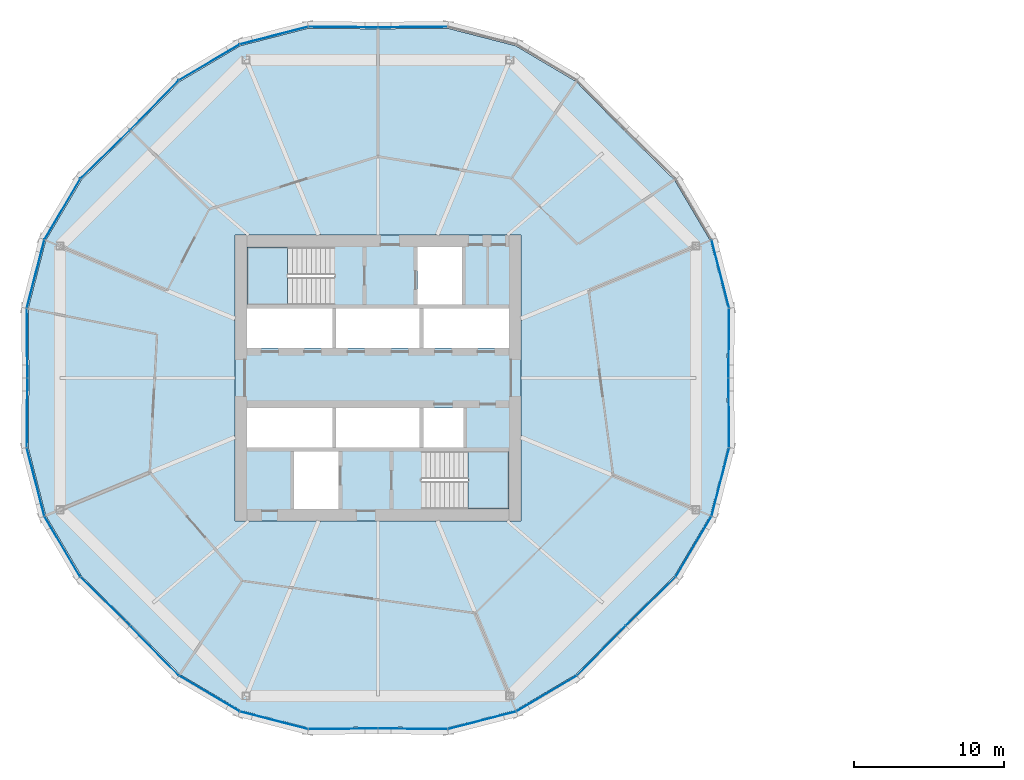
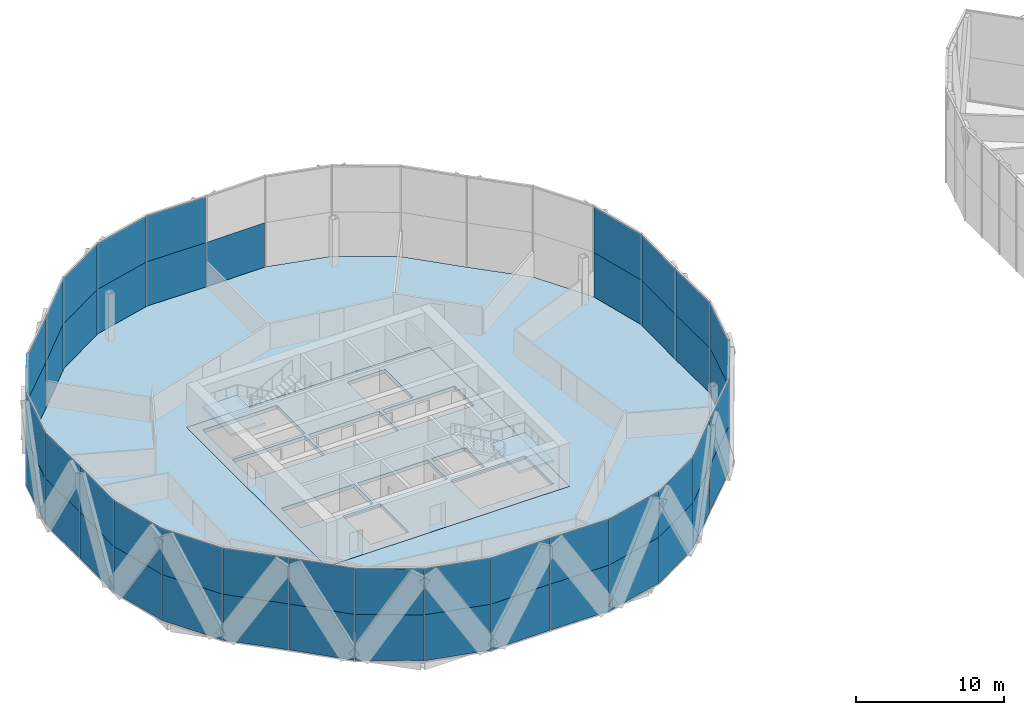
# One storey, part 18 of 31: 53 plates, 4 slabs, 10 elements without a shape of their own.
"""IFC4 building model written with IfcOpenShell, lengths in metres."""

from ifc_helpers import new_model, si_unit, direction, frame, origin, origin_2d, place, context, subcontext, project, spatial, polyline, rectangle, outline, extrude, material, layer, layer_set, type_object, element, aggregate, save


model = new_model("IFC4")

# Units and contexts
model_context = context("Model", 3, precision=1e-05, world=origin(), true_north=direction((0.0, 1.0)))
body_context = subcontext(model_context, "Body", "Model", "MODEL_VIEW")
ifc_project = project(units=[si_unit("LENGTHUNIT", "METRE"), si_unit("AREAUNIT", "SQUARE_METRE"), si_unit("VOLUMEUNIT", "CUBIC_METRE"), si_unit("PLANEANGLEUNIT", "RADIAN"), si_unit("MASSUNIT", "GRAM", prefix="KILO")], contexts=[model_context])

# Site, building, storey
site_placement = place(None, origin())
site = spatial("IfcSite", under=ifc_project, at=site_placement, CompositionType="ELEMENT")
building_placement = place(site_placement, origin())
building = spatial("IfcBuilding", under=site, at=building_placement, Name="Ogive Gate Towers", CompositionType="ELEMENT")
storey_placement = place(building_placement, frame((0.0, 0.0, 63.60009765625)))
storey = spatial("IfcBuildingStorey", under=building, at=storey_placement, Name="L14", CompositionType="ELEMENT", Elevation=63.60009765625)

# Slabs
ifc_material_1 = material(Name="Concrete C40/50", Category="concrete")
ifc_layer_1 = layer(ifc_material_1, 0.300048828125)
ifc_layer_set_1 = layer_set([ifc_layer_1], Name="Core slab C40/50 300 mm")
slab_type_1 = type_object("IfcSlabType", Name="Core slab C40/50 300 mm", PredefinedType="FLOOR", material=ifc_layer_set_1)
slab_1_placement = place(storey_placement, frame((0.0, 0.0, -0.300048828125)))
element("IfcSlab", 1, at=slab_1_placement, inside=storey, type_object=slab_type_1, Name="T1 L14 core slab", PredefinedType="FLOOR", context=body_context, shape_type="SweptSolid", body=[
    extrude(outline(polyline([(-26.5, 9.5), (-26.5, -9.5), (-45.5, -9.5), (-45.5, 9.5), (-26.5, 9.5)]), holes=[polyline([(-39.02490234375, 4.625), (-44.699951171875, 4.625), (-44.699951171875, 2.0), (-39.02490234375, 2.0), (-39.02490234375, 4.625)]), polyline([(-33.22509765625, 2.0), (-33.22509765625, 4.625), (-38.77490234375, 4.625), (-38.77490234375, 2.0), (-33.22509765625, 2.0)]), polyline([(-32.97509765625, 2.0), (-27.300048828125, 2.0), (-27.300048828125, 4.625), (-32.97509765625, 4.625), (-32.97509765625, 2.0)]), polyline([(-44.699951171875, -2.0), (-44.699951171875, -4.625), (-39.02490234375, -4.625), (-39.02490234375, -2.0), (-44.699951171875, -2.0)]), polyline([(-33.22509765625, -2.0), (-38.77490234375, -2.0), (-38.77490234375, -4.625), (-33.22509765625, -4.625), (-33.22509765625, -2.0)]), polyline([(-30.324951171875, -4.625), (-30.324951171875, -2.0), (-32.97509765625, -2.0), (-32.97509765625, -4.625), (-30.324951171875, -4.625)]), polyline([(-33.375, 4.875), (-30.425048828125, 4.875), (-30.425048828125, 8.699951171875), (-33.375, 8.699951171875), (-33.375, 4.875)]), polyline([(-41.574951171875, -4.875), (-41.574951171875, -8.699951171875), (-38.625, -8.699951171875), (-38.625, -4.875), (-41.574951171875, -4.875)]), polyline([(-44.699951171875, 4.875), (-38.885009765625, 4.875), (-38.885009765625, 8.699951171875), (-44.699951171875, 8.699951171875), (-44.699951171875, 4.875)]), polyline([(-27.300048828125, -8.699951171875), (-27.300048828125, -4.875), (-33.114990234375, -4.875), (-33.114990234375, -8.699951171875), (-27.300048828125, -8.699951171875)])]), origin(), (0.0, 0.0, 1.0), 0.300048828125),
])
ifc_material_2 = material(Name="Concrete C35/45", Category="concrete")
ifc_layer_2 = layer(ifc_material_2, 0.300048828125)
ifc_layer_set_2 = layer_set([ifc_layer_2], Name="Floor slab 300")
slab_type_2 = type_object("IfcSlabType", Name="Floor slab 300", PredefinedType="FLOOR", material=ifc_layer_set_2)
slab_2_placement = place(storey_placement, frame((0.0, 0.0, -0.300048828125)))
element("IfcSlab", 2, at=slab_2_placement, inside=storey, type_object=slab_type_2, Name="T1/L14/SSL001", PredefinedType="FLOOR", context=body_context, shape_type="SweptSolid", body=[
    extrude(outline(polyline([(-12.74560546875, -4.62548828125), (-12.7900390625, 0.0), (-12.74560546875, 4.62548828125), (-13.91015625, 9.14990234375), (-16.285888671875, 13.172607421875), (-19.588134765625, 16.411865234375), (-22.827392578125, 19.714111328125), (-26.85009765625, 22.08984375), (-31.37451171875, 23.25439453125), (-36.0, 23.2099609375), (-40.62548828125, 23.25439453125), (-45.14990234375, 22.08984375), (-49.172607421875, 19.714111328125), (-52.411865234375, 16.411865234375), (-55.714111328125, 13.172607421875), (-58.08984375, 9.14990234375), (-59.25439453125, 4.62548828125), (-59.2099609375, 0.0), (-59.25439453125, -4.62548828125), (-58.08984375, -9.14990234375), (-55.714111328125, -13.172607421875), (-52.411865234375, -16.411865234375), (-49.172607421875, -19.714111328125), (-45.14990234375, -22.08984375), (-40.62548828125, -23.25439453125), (-36.0, -23.2099609375), (-31.37451171875, -23.25439453125), (-26.85009765625, -22.08984375), (-22.827392578125, -19.714111328125), (-19.588134765625, -16.411865234375), (-16.285888671875, -13.172607421875), (-13.91015625, -9.14990234375), (-12.74560546875, -4.62548828125)]), holes=[polyline([(-26.5, -9.5), (-45.5, -9.5), (-45.5, 9.5), (-26.5, 9.5), (-26.5, -9.5)])]), origin(), (0.0, 0.0, 1.0), 0.300048828125),
])

# Stair, slab
stair_type = type_object("IfcStairType", Name="Escape stair 1840 wide", PredefinedType="HALF_TURN_STAIR", material=ifc_material_1)
stair_1_placement = place(storey_placement, origin())
stair_1 = element("IfcStair", 3, at=stair_1_placement, inside=storey, type_object=stair_type, Name="L14 Escape stair 1", PredefinedType="HALF_TURN_STAIR")
ifc_layer_3 = layer(ifc_material_1, 0.199951171875)
ifc_layer_set_3 = layer_set([ifc_layer_3], Name="Stair landing 200 mm")
slab_type_3 = type_object("IfcSlabType", Name="Stair landing 200 mm", PredefinedType="LANDING", material=ifc_layer_set_3)
slab_3_placement = place(storey_placement, frame((0.0, 0.0, 1.75)))
slab_3 = element("IfcSlab", 4, at=slab_3_placement, type_object=slab_type_3, Name="ST1 landing 1", PredefinedType="LANDING", context=body_context, shape_type="SweptSolid", body=[
    extrude(outline(polyline([(-42.00146484375, 8.699951171875), (-44.699951171875, 8.699951171875), (-44.699951171875, 4.875), (-42.00146484375, 4.875), (-42.00146484375, 8.699951171875)])), origin(), (0.0, 0.0, 1.0), 0.199951171875),
])
aggregate(stair_1, [slab_3])

stair_2_placement = place(storey_placement, origin())
stair_2 = element("IfcStair", 5, at=stair_2_placement, inside=storey, type_object=stair_type, Name="L14 Escape stair 2", PredefinedType="HALF_TURN_STAIR")
slab_4_placement = place(storey_placement, frame((0.0, 0.0, 1.75)))
slab_4 = element("IfcSlab", 6, at=slab_4_placement, type_object=slab_type_3, Name="ST2 landing 1", PredefinedType="LANDING", context=body_context, shape_type="SweptSolid", body=[
    extrude(outline(polyline([(-29.99853515625, -8.699951171875), (-27.300048828125, -8.699951171875), (-27.300048828125, -4.875), (-29.99853515625, -4.875), (-29.99853515625, -8.699951171875)])), origin(), (0.0, 0.0, 1.0), 0.199951171875),
])
aggregate(stair_2, [slab_4])

# Curtain wall, plates
ifc_material_3 = material(Name="Pale metal aluminium", Category="aluminium")
curtain_wall_type = type_object("IfcCurtainWallType", Name="Tower unitised wall, low zone", PredefinedType="NOTDEFINED", material=ifc_material_3)
curtain_wall_1_placement = place(storey_placement, origin())
curtain_wall_1 = element("IfcCurtainWall", 7, at=curtain_wall_1_placement, inside=storey, type_object=curtain_wall_type, Name="CW1 T1 ECW01", PredefinedType="NOTDEFINED")
ifc_material_4 = material(Name="Clear glass", Category="glass")
ifc_layer_4 = layer(ifc_material_4, 0.028076171875)
ifc_layer_set_4 = layer_set([ifc_layer_4], Name="Tower unitised wall, low zone glass panel")
plate_type = type_object("IfcPlateType", Name="Tower unitised wall, low zone glass panel", PredefinedType="CURTAIN_PANEL", material=ifc_layer_set_4)
plate_1_placement = place(storey_placement, frame((-12.667724609375, 2.31689453125, -0.2041015625), z_axis=(0.0, 0.0, 1.0), x_axis=(0.009599163462, 0.999953926969, 0.0)))
plate_1 = element("IfcPlate", 8, at=plate_1_placement, type_object=plate_type, Name="CW1 glass panel", PredefinedType="CURTAIN_PANEL", context=body_context, shape_type="SweptSolid", body=[
    extrude(rectangle(XDim=4.580078125, YDim=0.028076171875, at=origin_2d()), origin(), (0.0, 0.0, 1.0), 3.803955078125),
])
plate_2_placement = place(storey_placement, frame((-12.667724609375, 2.31689453125, 3.60009765625), z_axis=(0.0, 0.0, 1.0), x_axis=(0.009599163462, 0.999953926969, 0.0)))
plate_2 = element("IfcPlate", 9, at=plate_2_placement, type_object=plate_type, Name="CW1 glass panel", PredefinedType="CURTAIN_PANEL", context=body_context, shape_type="SweptSolid", body=[
    extrude(rectangle(XDim=4.580078125, YDim=0.028076171875, at=origin_2d()), origin(), (0.0, 0.0, 1.0), 3.803955078125),
])
plate_3_placement = place(storey_placement, frame((-13.231201171875, 6.9130859375, -0.2041015625), z_axis=(0.0, 0.0, 1.0), x_axis=(-0.249247709738, 0.968439765391, 0.0)))
plate_3 = element("IfcPlate", 10, at=plate_3_placement, type_object=plate_type, Name="CW1 glass panel", PredefinedType="CURTAIN_PANEL", context=body_context, shape_type="SweptSolid", body=[
    extrude(rectangle(XDim=4.63720703125, YDim=0.028076171875, at=origin_2d()), origin(), (0.0, 0.0, 1.0), 3.803955078125),
])
plate_4_placement = place(storey_placement, frame((-13.231201171875, 6.9130859375, 3.60009765625), z_axis=(0.0, 0.0, 1.0), x_axis=(-0.249247709738, 0.968439765391, 0.0)))
plate_4 = element("IfcPlate", 11, at=plate_4_placement, type_object=plate_type, Name="CW1 glass panel", PredefinedType="CURTAIN_PANEL", context=body_context, shape_type="SweptSolid", body=[
    extrude(rectangle(XDim=4.63720703125, YDim=0.028076171875, at=origin_2d()), origin(), (0.0, 0.0, 1.0), 3.803955078125),
])
aggregate(curtain_wall_1, [plate_1, plate_2, plate_3, plate_4])

# Curtain wall, plate
curtain_wall_2_placement = place(storey_placement, origin())
curtain_wall_2 = element("IfcCurtainWall", 12, at=curtain_wall_2_placement, inside=storey, type_object=curtain_wall_type, Name="CW1 T1 ECW02", PredefinedType="NOTDEFINED")
plate_5_placement = place(storey_placement, frame((-33.68310546875, 23.332275390625, -0.2041015625), z_axis=(0.0, 0.0, 1.0), x_axis=(-0.999953926969, -0.009599163462, 0.0)))
plate_5 = element("IfcPlate", 13, at=plate_5_placement, type_object=plate_type, Name="CW1 glass panel", PredefinedType="CURTAIN_PANEL", context=body_context, shape_type="SweptSolid", body=[
    extrude(rectangle(XDim=4.580078125, YDim=0.028076171875, at=origin_2d()), origin(), (0.0, 0.0, 1.0), 3.803955078125),
])
aggregate(curtain_wall_2, [plate_5])

# Curtain wall, plates
curtain_wall_3_placement = place(storey_placement, origin())
curtain_wall_3 = element("IfcCurtainWall", 14, at=curtain_wall_3_placement, inside=storey, type_object=curtain_wall_type, Name="CW1 T1 ECW03", PredefinedType="NOTDEFINED")
plate_6_placement = place(storey_placement, frame((-38.31689453125, 23.332275390625, -0.2041015625), z_axis=(0.0, 0.0, 1.0), x_axis=(-0.999953926969, 0.009599163462, 0.0)))
plate_6 = element("IfcPlate", 15, at=plate_6_placement, type_object=plate_type, Name="CW1 glass panel", PredefinedType="CURTAIN_PANEL", context=body_context, shape_type="SweptSolid", body=[
    extrude(rectangle(XDim=4.580078125, YDim=0.028076171875, at=origin_2d()), origin(), (0.0, 0.0, 1.0), 3.803955078125),
])
plate_7_placement = place(storey_placement, frame((-38.31689453125, 23.332275390625, 3.60009765625), z_axis=(0.0, 0.0, 1.0), x_axis=(-0.999953926969, 0.009599163462, 0.0)))
plate_7 = element("IfcPlate", 16, at=plate_7_placement, type_object=plate_type, Name="CW1 glass panel", PredefinedType="CURTAIN_PANEL", context=body_context, shape_type="SweptSolid", body=[
    extrude(rectangle(XDim=4.580078125, YDim=0.028076171875, at=origin_2d()), origin(), (0.0, 0.0, 1.0), 3.803955078125),
])
plate_8_placement = place(storey_placement, frame((-42.9130859375, 22.768798828125, -0.2041015625), z_axis=(0.0, 0.0, 1.0), x_axis=(-0.968439765391, -0.249247709738, 0.0)))
plate_8 = element("IfcPlate", 17, at=plate_8_placement, type_object=plate_type, Name="CW1 glass panel", PredefinedType="CURTAIN_PANEL", context=body_context, shape_type="SweptSolid", body=[
    extrude(rectangle(XDim=4.63720703125, YDim=0.028076171875, at=origin_2d()), origin(), (0.0, 0.0, 1.0), 3.803955078125),
])
plate_9_placement = place(storey_placement, frame((-42.9130859375, 22.768798828125, 3.60009765625), z_axis=(0.0, 0.0, 1.0), x_axis=(-0.968439765391, -0.249247709738, 0.0)))
plate_9 = element("IfcPlate", 18, at=plate_9_placement, type_object=plate_type, Name="CW1 glass panel", PredefinedType="CURTAIN_PANEL", context=body_context, shape_type="SweptSolid", body=[
    extrude(rectangle(XDim=4.63720703125, YDim=0.028076171875, at=origin_2d()), origin(), (0.0, 0.0, 1.0), 3.803955078125),
])
plate_10_placement = place(storey_placement, frame((-47.211669921875, 20.98828125, -0.2041015625), z_axis=(0.0, 0.0, 1.0), x_axis=(-0.86103507103, -0.508545579527, 0.0)))
plate_10 = element("IfcPlate", 19, at=plate_10_placement, type_object=plate_type, Name="CW1 glass panel", PredefinedType="CURTAIN_PANEL", context=body_context, shape_type="SweptSolid", body=[
    extrude(rectangle(XDim=4.63720703125, YDim=0.028076171875, at=origin_2d()), origin(), (0.0, 0.0, 1.0), 3.803955078125),
])
plate_11_placement = place(storey_placement, frame((-47.211669921875, 20.98828125, 3.60009765625), z_axis=(0.0, 0.0, 1.0), x_axis=(-0.86103507103, -0.508545579527, 0.0)))
plate_11 = element("IfcPlate", 20, at=plate_11_placement, type_object=plate_type, Name="CW1 glass panel", PredefinedType="CURTAIN_PANEL", context=body_context, shape_type="SweptSolid", body=[
    extrude(rectangle(XDim=4.63720703125, YDim=0.028076171875, at=origin_2d()), origin(), (0.0, 0.0, 1.0), 3.803955078125),
])
plate_12_placement = place(storey_placement, frame((-50.860107421875, 18.13671875, -0.2041015625), z_axis=(0.0, 0.0, 1.0), x_axis=(-0.700299028189, -0.713849613797, 0.0)))
plate_12 = element("IfcPlate", 21, at=plate_12_placement, type_object=plate_type, Name="CW1 glass panel", PredefinedType="CURTAIN_PANEL", context=body_context, shape_type="SweptSolid", body=[
    extrude(rectangle(XDim=4.580078125, YDim=0.028076171875, at=origin_2d()), origin(), (0.0, 0.0, 1.0), 3.803955078125),
])
plate_13_placement = place(storey_placement, frame((-50.860107421875, 18.13671875, 3.60009765625), z_axis=(0.0, 0.0, 1.0), x_axis=(-0.700299028189, -0.713849613797, 0.0)))
plate_13 = element("IfcPlate", 22, at=plate_13_placement, type_object=plate_type, Name="CW1 glass panel", PredefinedType="CURTAIN_PANEL", context=body_context, shape_type="SweptSolid", body=[
    extrude(rectangle(XDim=4.580078125, YDim=0.028076171875, at=origin_2d()), origin(), (0.0, 0.0, 1.0), 3.803955078125),
])
aggregate(curtain_wall_3, [plate_6, plate_7, plate_8, plate_9, plate_10, plate_11, plate_12, plate_13])

curtain_wall_4_placement = place(storey_placement, origin())
curtain_wall_4 = element("IfcCurtainWall", 23, at=curtain_wall_4_placement, inside=storey, type_object=curtain_wall_type, Name="CW1 T1 ECW04", PredefinedType="NOTDEFINED")
plate_14_placement = place(storey_placement, frame((-54.13671875, 14.860107421875, -0.2041015625), z_axis=(0.0, 0.0, 1.0), x_axis=(-0.713849613797, -0.700299028189, 0.0)))
plate_14 = element("IfcPlate", 24, at=plate_14_placement, type_object=plate_type, Name="CW1 glass panel", PredefinedType="CURTAIN_PANEL", context=body_context, shape_type="SweptSolid", body=[
    extrude(rectangle(XDim=4.580078125, YDim=0.028076171875, at=origin_2d()), origin(), (0.0, 0.0, 1.0), 3.803955078125),
])
plate_15_placement = place(storey_placement, frame((-54.13671875, 14.860107421875, 3.60009765625), z_axis=(0.0, 0.0, 1.0), x_axis=(-0.713849613797, -0.700299028189, 0.0)))
plate_15 = element("IfcPlate", 25, at=plate_15_placement, type_object=plate_type, Name="CW1 glass panel", PredefinedType="CURTAIN_PANEL", context=body_context, shape_type="SweptSolid", body=[
    extrude(rectangle(XDim=4.580078125, YDim=0.028076171875, at=origin_2d()), origin(), (0.0, 0.0, 1.0), 3.803955078125),
])
plate_16_placement = place(storey_placement, frame((-56.98828125, 11.211669921875, -0.2041015625), z_axis=(0.0, 0.0, 1.0), x_axis=(-0.508545579527, -0.86103507103, 0.0)))
plate_16 = element("IfcPlate", 26, at=plate_16_placement, type_object=plate_type, Name="CW1 glass panel", PredefinedType="CURTAIN_PANEL", context=body_context, shape_type="SweptSolid", body=[
    extrude(rectangle(XDim=4.63720703125, YDim=0.028076171875, at=origin_2d()), origin(), (0.0, 0.0, 1.0), 3.803955078125),
])
plate_17_placement = place(storey_placement, frame((-56.98828125, 11.211669921875, 3.60009765625), z_axis=(0.0, 0.0, 1.0), x_axis=(-0.508545579527, -0.86103507103, 0.0)))
plate_17 = element("IfcPlate", 27, at=plate_17_placement, type_object=plate_type, Name="CW1 glass panel", PredefinedType="CURTAIN_PANEL", context=body_context, shape_type="SweptSolid", body=[
    extrude(rectangle(XDim=4.63720703125, YDim=0.028076171875, at=origin_2d()), origin(), (0.0, 0.0, 1.0), 3.803955078125),
])
plate_18_placement = place(storey_placement, frame((-58.768798828125, 6.9130859375, -0.2041015625), z_axis=(0.0, 0.0, 1.0), x_axis=(-0.249247709738, -0.968439765391, 0.0)))
plate_18 = element("IfcPlate", 28, at=plate_18_placement, type_object=plate_type, Name="CW1 glass panel", PredefinedType="CURTAIN_PANEL", context=body_context, shape_type="SweptSolid", body=[
    extrude(rectangle(XDim=4.63720703125, YDim=0.028076171875, at=origin_2d()), origin(), (0.0, 0.0, 1.0), 3.803955078125),
])
plate_19_placement = place(storey_placement, frame((-58.768798828125, 6.9130859375, 3.60009765625), z_axis=(0.0, 0.0, 1.0), x_axis=(-0.249247709738, -0.968439765391, 0.0)))
plate_19 = element("IfcPlate", 29, at=plate_19_placement, type_object=plate_type, Name="CW1 glass panel", PredefinedType="CURTAIN_PANEL", context=body_context, shape_type="SweptSolid", body=[
    extrude(rectangle(XDim=4.63720703125, YDim=0.028076171875, at=origin_2d()), origin(), (0.0, 0.0, 1.0), 3.803955078125),
])
plate_20_placement = place(storey_placement, frame((-59.332275390625, 2.31689453125, -0.2041015625), z_axis=(0.0, 0.0, 1.0), x_axis=(0.009599163462, -0.999953926969, 0.0)))
plate_20 = element("IfcPlate", 30, at=plate_20_placement, type_object=plate_type, Name="CW1 glass panel", PredefinedType="CURTAIN_PANEL", context=body_context, shape_type="SweptSolid", body=[
    extrude(rectangle(XDim=4.580078125, YDim=0.028076171875, at=origin_2d()), origin(), (0.0, 0.0, 1.0), 3.803955078125),
])
plate_21_placement = place(storey_placement, frame((-59.332275390625, 2.31689453125, 3.60009765625), z_axis=(0.0, 0.0, 1.0), x_axis=(0.009599163462, -0.999953926969, 0.0)))
plate_21 = element("IfcPlate", 31, at=plate_21_placement, type_object=plate_type, Name="CW1 glass panel", PredefinedType="CURTAIN_PANEL", context=body_context, shape_type="SweptSolid", body=[
    extrude(rectangle(XDim=4.580078125, YDim=0.028076171875, at=origin_2d()), origin(), (0.0, 0.0, 1.0), 3.803955078125),
])
aggregate(curtain_wall_4, [plate_14, plate_15, plate_16, plate_17, plate_18, plate_19, plate_20, plate_21])

curtain_wall_5_placement = place(storey_placement, origin())
curtain_wall_5 = element("IfcCurtainWall", 32, at=curtain_wall_5_placement, inside=storey, type_object=curtain_wall_type, Name="CW1 T1 ECW05", PredefinedType="NOTDEFINED")
plate_22_placement = place(storey_placement, frame((-59.332275390625, -2.31689453125, -0.2041015625), z_axis=(0.0, 0.0, 1.0), x_axis=(-0.009599163462, -0.999953926969, 0.0)))
plate_22 = element("IfcPlate", 33, at=plate_22_placement, type_object=plate_type, Name="CW1 glass panel", PredefinedType="CURTAIN_PANEL", context=body_context, shape_type="SweptSolid", body=[
    extrude(rectangle(XDim=4.580078125, YDim=0.028076171875, at=origin_2d()), origin(), (0.0, 0.0, 1.0), 3.803955078125),
])
plate_23_placement = place(storey_placement, frame((-59.332275390625, -2.31689453125, 3.60009765625), z_axis=(0.0, 0.0, 1.0), x_axis=(-0.009599163462, -0.999953926969, 0.0)))
plate_23 = element("IfcPlate", 34, at=plate_23_placement, type_object=plate_type, Name="CW1 glass panel", PredefinedType="CURTAIN_PANEL", context=body_context, shape_type="SweptSolid", body=[
    extrude(rectangle(XDim=4.580078125, YDim=0.028076171875, at=origin_2d()), origin(), (0.0, 0.0, 1.0), 3.803955078125),
])
plate_24_placement = place(storey_placement, frame((-58.768798828125, -6.9130859375, -0.2041015625), z_axis=(0.0, 0.0, 1.0), x_axis=(0.249247709738, -0.968439765391, 0.0)))
plate_24 = element("IfcPlate", 35, at=plate_24_placement, type_object=plate_type, Name="CW1 glass panel", PredefinedType="CURTAIN_PANEL", context=body_context, shape_type="SweptSolid", body=[
    extrude(rectangle(XDim=4.63720703125, YDim=0.028076171875, at=origin_2d()), origin(), (0.0, 0.0, 1.0), 3.803955078125),
])
plate_25_placement = place(storey_placement, frame((-58.768798828125, -6.9130859375, 3.60009765625), z_axis=(0.0, 0.0, 1.0), x_axis=(0.249247709738, -0.968439765391, 0.0)))
plate_25 = element("IfcPlate", 36, at=plate_25_placement, type_object=plate_type, Name="CW1 glass panel", PredefinedType="CURTAIN_PANEL", context=body_context, shape_type="SweptSolid", body=[
    extrude(rectangle(XDim=4.63720703125, YDim=0.028076171875, at=origin_2d()), origin(), (0.0, 0.0, 1.0), 3.803955078125),
])
plate_26_placement = place(storey_placement, frame((-56.98828125, -11.211669921875, -0.2041015625), z_axis=(0.0, 0.0, 1.0), x_axis=(0.508545579527, -0.86103507103, 0.0)))
plate_26 = element("IfcPlate", 37, at=plate_26_placement, type_object=plate_type, Name="CW1 glass panel", PredefinedType="CURTAIN_PANEL", context=body_context, shape_type="SweptSolid", body=[
    extrude(rectangle(XDim=4.63720703125, YDim=0.028076171875, at=origin_2d()), origin(), (0.0, 0.0, 1.0), 3.803955078125),
])
plate_27_placement = place(storey_placement, frame((-56.98828125, -11.211669921875, 3.60009765625), z_axis=(0.0, 0.0, 1.0), x_axis=(0.508545579527, -0.86103507103, 0.0)))
plate_27 = element("IfcPlate", 38, at=plate_27_placement, type_object=plate_type, Name="CW1 glass panel", PredefinedType="CURTAIN_PANEL", context=body_context, shape_type="SweptSolid", body=[
    extrude(rectangle(XDim=4.63720703125, YDim=0.028076171875, at=origin_2d()), origin(), (0.0, 0.0, 1.0), 3.803955078125),
])
plate_28_placement = place(storey_placement, frame((-54.13671875, -14.860107421875, -0.2041015625), z_axis=(0.0, 0.0, 1.0), x_axis=(0.713849613797, -0.700299028189, 0.0)))
plate_28 = element("IfcPlate", 39, at=plate_28_placement, type_object=plate_type, Name="CW1 glass panel", PredefinedType="CURTAIN_PANEL", context=body_context, shape_type="SweptSolid", body=[
    extrude(rectangle(XDim=4.580078125, YDim=0.028076171875, at=origin_2d()), origin(), (0.0, 0.0, 1.0), 3.803955078125),
])
plate_29_placement = place(storey_placement, frame((-54.13671875, -14.860107421875, 3.60009765625), z_axis=(0.0, 0.0, 1.0), x_axis=(0.713849613797, -0.700299028189, 0.0)))
plate_29 = element("IfcPlate", 40, at=plate_29_placement, type_object=plate_type, Name="CW1 glass panel", PredefinedType="CURTAIN_PANEL", context=body_context, shape_type="SweptSolid", body=[
    extrude(rectangle(XDim=4.580078125, YDim=0.028076171875, at=origin_2d()), origin(), (0.0, 0.0, 1.0), 3.803955078125),
])
aggregate(curtain_wall_5, [plate_22, plate_23, plate_24, plate_25, plate_26, plate_27, plate_28, plate_29])

curtain_wall_6_placement = place(storey_placement, origin())
curtain_wall_6 = element("IfcCurtainWall", 41, at=curtain_wall_6_placement, inside=storey, type_object=curtain_wall_type, Name="CW1 T1 ECW06", PredefinedType="NOTDEFINED")
plate_30_placement = place(storey_placement, frame((-50.860107421875, -18.13671875, -0.2041015625), z_axis=(0.0, 0.0, 1.0), x_axis=(0.700299028189, -0.713849613797, 0.0)))
plate_30 = element("IfcPlate", 42, at=plate_30_placement, type_object=plate_type, Name="CW1 glass panel", PredefinedType="CURTAIN_PANEL", context=body_context, shape_type="SweptSolid", body=[
    extrude(rectangle(XDim=4.580078125, YDim=0.028076171875, at=origin_2d()), origin(), (0.0, 0.0, 1.0), 3.803955078125),
])
plate_31_placement = place(storey_placement, frame((-50.860107421875, -18.13671875, 3.60009765625), z_axis=(0.0, 0.0, 1.0), x_axis=(0.700299028189, -0.713849613797, 0.0)))
plate_31 = element("IfcPlate", 43, at=plate_31_placement, type_object=plate_type, Name="CW1 glass panel", PredefinedType="CURTAIN_PANEL", context=body_context, shape_type="SweptSolid", body=[
    extrude(rectangle(XDim=4.580078125, YDim=0.028076171875, at=origin_2d()), origin(), (0.0, 0.0, 1.0), 3.803955078125),
])
plate_32_placement = place(storey_placement, frame((-47.211669921875, -20.98828125, -0.2041015625), z_axis=(0.0, 0.0, 1.0), x_axis=(0.86103507103, -0.508545579527, 0.0)))
plate_32 = element("IfcPlate", 44, at=plate_32_placement, type_object=plate_type, Name="CW1 glass panel", PredefinedType="CURTAIN_PANEL", context=body_context, shape_type="SweptSolid", body=[
    extrude(rectangle(XDim=4.63720703125, YDim=0.028076171875, at=origin_2d()), origin(), (0.0, 0.0, 1.0), 3.803955078125),
])
plate_33_placement = place(storey_placement, frame((-47.211669921875, -20.98828125, 3.60009765625), z_axis=(0.0, 0.0, 1.0), x_axis=(0.86103507103, -0.508545579527, 0.0)))
plate_33 = element("IfcPlate", 45, at=plate_33_placement, type_object=plate_type, Name="CW1 glass panel", PredefinedType="CURTAIN_PANEL", context=body_context, shape_type="SweptSolid", body=[
    extrude(rectangle(XDim=4.63720703125, YDim=0.028076171875, at=origin_2d()), origin(), (0.0, 0.0, 1.0), 3.803955078125),
])
plate_34_placement = place(storey_placement, frame((-42.9130859375, -22.768798828125, -0.2041015625), z_axis=(0.0, 0.0, 1.0), x_axis=(0.968439765391, -0.249247709738, 0.0)))
plate_34 = element("IfcPlate", 46, at=plate_34_placement, type_object=plate_type, Name="CW1 glass panel", PredefinedType="CURTAIN_PANEL", context=body_context, shape_type="SweptSolid", body=[
    extrude(rectangle(XDim=4.63720703125, YDim=0.028076171875, at=origin_2d()), origin(), (0.0, 0.0, 1.0), 3.803955078125),
])
plate_35_placement = place(storey_placement, frame((-42.9130859375, -22.768798828125, 3.60009765625), z_axis=(0.0, 0.0, 1.0), x_axis=(0.968439765391, -0.249247709738, 0.0)))
plate_35 = element("IfcPlate", 47, at=plate_35_placement, type_object=plate_type, Name="CW1 glass panel", PredefinedType="CURTAIN_PANEL", context=body_context, shape_type="SweptSolid", body=[
    extrude(rectangle(XDim=4.63720703125, YDim=0.028076171875, at=origin_2d()), origin(), (0.0, 0.0, 1.0), 3.803955078125),
])
plate_36_placement = place(storey_placement, frame((-38.31689453125, -23.332275390625, -0.2041015625), z_axis=(0.0, 0.0, 1.0), x_axis=(0.999953926969, 0.009599163462, 0.0)))
plate_36 = element("IfcPlate", 48, at=plate_36_placement, type_object=plate_type, Name="CW1 glass panel", PredefinedType="CURTAIN_PANEL", context=body_context, shape_type="SweptSolid", body=[
    extrude(rectangle(XDim=4.580078125, YDim=0.028076171875, at=origin_2d()), origin(), (0.0, 0.0, 1.0), 3.803955078125),
])
plate_37_placement = place(storey_placement, frame((-38.31689453125, -23.332275390625, 3.60009765625), z_axis=(0.0, 0.0, 1.0), x_axis=(0.999953926969, 0.009599163462, 0.0)))
plate_37 = element("IfcPlate", 49, at=plate_37_placement, type_object=plate_type, Name="CW1 glass panel", PredefinedType="CURTAIN_PANEL", context=body_context, shape_type="SweptSolid", body=[
    extrude(rectangle(XDim=4.580078125, YDim=0.028076171875, at=origin_2d()), origin(), (0.0, 0.0, 1.0), 3.803955078125),
])
aggregate(curtain_wall_6, [plate_30, plate_31, plate_32, plate_33, plate_34, plate_35, plate_36, plate_37])

curtain_wall_7_placement = place(storey_placement, origin())
curtain_wall_7 = element("IfcCurtainWall", 50, at=curtain_wall_7_placement, inside=storey, type_object=curtain_wall_type, Name="CW1 T1 ECW07", PredefinedType="NOTDEFINED")
plate_38_placement = place(storey_placement, frame((-33.68310546875, -23.332275390625, -0.2041015625), z_axis=(0.0, 0.0, 1.0), x_axis=(0.999953926969, -0.009599163462, 0.0)))
plate_38 = element("IfcPlate", 51, at=plate_38_placement, type_object=plate_type, Name="CW1 glass panel", PredefinedType="CURTAIN_PANEL", context=body_context, shape_type="SweptSolid", body=[
    extrude(rectangle(XDim=4.580078125, YDim=0.028076171875, at=origin_2d()), origin(), (0.0, 0.0, 1.0), 3.803955078125),
])
plate_39_placement = place(storey_placement, frame((-33.68310546875, -23.332275390625, 3.60009765625), z_axis=(0.0, 0.0, 1.0), x_axis=(0.999953926969, -0.009599163462, 0.0)))
plate_39 = element("IfcPlate", 52, at=plate_39_placement, type_object=plate_type, Name="CW1 glass panel", PredefinedType="CURTAIN_PANEL", context=body_context, shape_type="SweptSolid", body=[
    extrude(rectangle(XDim=4.580078125, YDim=0.028076171875, at=origin_2d()), origin(), (0.0, 0.0, 1.0), 3.803955078125),
])
plate_40_placement = place(storey_placement, frame((-29.0869140625, -22.768798828125, -0.2041015625), z_axis=(0.0, 0.0, 1.0), x_axis=(0.968439765391, 0.249247709738, 0.0)))
plate_40 = element("IfcPlate", 53, at=plate_40_placement, type_object=plate_type, Name="CW1 glass panel", PredefinedType="CURTAIN_PANEL", context=body_context, shape_type="SweptSolid", body=[
    extrude(rectangle(XDim=4.63720703125, YDim=0.028076171875, at=origin_2d()), origin(), (0.0, 0.0, 1.0), 3.803955078125),
])
plate_41_placement = place(storey_placement, frame((-29.0869140625, -22.768798828125, 3.60009765625), z_axis=(0.0, 0.0, 1.0), x_axis=(0.968439765391, 0.249247709738, 0.0)))
plate_41 = element("IfcPlate", 54, at=plate_41_placement, type_object=plate_type, Name="CW1 glass panel", PredefinedType="CURTAIN_PANEL", context=body_context, shape_type="SweptSolid", body=[
    extrude(rectangle(XDim=4.63720703125, YDim=0.028076171875, at=origin_2d()), origin(), (0.0, 0.0, 1.0), 3.803955078125),
])
plate_42_placement = place(storey_placement, frame((-24.788330078125, -20.98828125, -0.2041015625), z_axis=(0.0, 0.0, 1.0), x_axis=(0.86103507103, 0.508545579527, 0.0)))
plate_42 = element("IfcPlate", 55, at=plate_42_placement, type_object=plate_type, Name="CW1 glass panel", PredefinedType="CURTAIN_PANEL", context=body_context, shape_type="SweptSolid", body=[
    extrude(rectangle(XDim=4.63720703125, YDim=0.028076171875, at=origin_2d()), origin(), (0.0, 0.0, 1.0), 3.803955078125),
])
plate_43_placement = place(storey_placement, frame((-24.788330078125, -20.98828125, 3.60009765625), z_axis=(0.0, 0.0, 1.0), x_axis=(0.86103507103, 0.508545579527, 0.0)))
plate_43 = element("IfcPlate", 56, at=plate_43_placement, type_object=plate_type, Name="CW1 glass panel", PredefinedType="CURTAIN_PANEL", context=body_context, shape_type="SweptSolid", body=[
    extrude(rectangle(XDim=4.63720703125, YDim=0.028076171875, at=origin_2d()), origin(), (0.0, 0.0, 1.0), 3.803955078125),
])
plate_44_placement = place(storey_placement, frame((-21.139892578125, -18.13671875, -0.2041015625), z_axis=(0.0, 0.0, 1.0), x_axis=(0.700299028189, 0.713849613797, 0.0)))
plate_44 = element("IfcPlate", 57, at=plate_44_placement, type_object=plate_type, Name="CW1 glass panel", PredefinedType="CURTAIN_PANEL", context=body_context, shape_type="SweptSolid", body=[
    extrude(rectangle(XDim=4.580078125, YDim=0.028076171875, at=origin_2d()), origin(), (0.0, 0.0, 1.0), 3.803955078125),
])
plate_45_placement = place(storey_placement, frame((-21.139892578125, -18.13671875, 3.60009765625), z_axis=(0.0, 0.0, 1.0), x_axis=(0.700299028189, 0.713849613797, 0.0)))
plate_45 = element("IfcPlate", 58, at=plate_45_placement, type_object=plate_type, Name="CW1 glass panel", PredefinedType="CURTAIN_PANEL", context=body_context, shape_type="SweptSolid", body=[
    extrude(rectangle(XDim=4.580078125, YDim=0.028076171875, at=origin_2d()), origin(), (0.0, 0.0, 1.0), 3.803955078125),
])
aggregate(curtain_wall_7, [plate_38, plate_39, plate_40, plate_41, plate_42, plate_43, plate_44, plate_45])

curtain_wall_8_placement = place(storey_placement, origin())
curtain_wall_8 = element("IfcCurtainWall", 59, at=curtain_wall_8_placement, inside=storey, type_object=curtain_wall_type, Name="CW1 T1 ECW08", PredefinedType="NOTDEFINED")
plate_46_placement = place(storey_placement, frame((-17.86328125, -14.860107421875, -0.2041015625), z_axis=(0.0, 0.0, 1.0), x_axis=(0.713849613797, 0.700299028189, 0.0)))
plate_46 = element("IfcPlate", 60, at=plate_46_placement, type_object=plate_type, Name="CW1 glass panel", PredefinedType="CURTAIN_PANEL", context=body_context, shape_type="SweptSolid", body=[
    extrude(rectangle(XDim=4.580078125, YDim=0.028076171875, at=origin_2d()), origin(), (0.0, 0.0, 1.0), 3.803955078125),
])
plate_47_placement = place(storey_placement, frame((-17.86328125, -14.860107421875, 3.60009765625), z_axis=(0.0, 0.0, 1.0), x_axis=(0.713849613797, 0.700299028189, 0.0)))
plate_47 = element("IfcPlate", 61, at=plate_47_placement, type_object=plate_type, Name="CW1 glass panel", PredefinedType="CURTAIN_PANEL", context=body_context, shape_type="SweptSolid", body=[
    extrude(rectangle(XDim=4.580078125, YDim=0.028076171875, at=origin_2d()), origin(), (0.0, 0.0, 1.0), 3.803955078125),
])
plate_48_placement = place(storey_placement, frame((-15.01171875, -11.211669921875, -0.2041015625), z_axis=(0.0, 0.0, 1.0), x_axis=(0.508545579527, 0.86103507103, 0.0)))
plate_48 = element("IfcPlate", 62, at=plate_48_placement, type_object=plate_type, Name="CW1 glass panel", PredefinedType="CURTAIN_PANEL", context=body_context, shape_type="SweptSolid", body=[
    extrude(rectangle(XDim=4.63720703125, YDim=0.028076171875, at=origin_2d()), origin(), (0.0, 0.0, 1.0), 3.803955078125),
])
plate_49_placement = place(storey_placement, frame((-15.01171875, -11.211669921875, 3.60009765625), z_axis=(0.0, 0.0, 1.0), x_axis=(0.508545579527, 0.86103507103, 0.0)))
plate_49 = element("IfcPlate", 63, at=plate_49_placement, type_object=plate_type, Name="CW1 glass panel", PredefinedType="CURTAIN_PANEL", context=body_context, shape_type="SweptSolid", body=[
    extrude(rectangle(XDim=4.63720703125, YDim=0.028076171875, at=origin_2d()), origin(), (0.0, 0.0, 1.0), 3.803955078125),
])
plate_50_placement = place(storey_placement, frame((-13.231201171875, -6.9130859375, -0.2041015625), z_axis=(0.0, 0.0, 1.0), x_axis=(0.249247709738, 0.968439765391, 0.0)))
plate_50 = element("IfcPlate", 64, at=plate_50_placement, type_object=plate_type, Name="CW1 glass panel", PredefinedType="CURTAIN_PANEL", context=body_context, shape_type="SweptSolid", body=[
    extrude(rectangle(XDim=4.63720703125, YDim=0.028076171875, at=origin_2d()), origin(), (0.0, 0.0, 1.0), 3.803955078125),
])
plate_51_placement = place(storey_placement, frame((-13.231201171875, -6.9130859375, 3.60009765625), z_axis=(0.0, 0.0, 1.0), x_axis=(0.249247709738, 0.968439765391, 0.0)))
plate_51 = element("IfcPlate", 65, at=plate_51_placement, type_object=plate_type, Name="CW1 glass panel", PredefinedType="CURTAIN_PANEL", context=body_context, shape_type="SweptSolid", body=[
    extrude(rectangle(XDim=4.63720703125, YDim=0.028076171875, at=origin_2d()), origin(), (0.0, 0.0, 1.0), 3.803955078125),
])
plate_52_placement = place(storey_placement, frame((-12.667724609375, -2.31689453125, -0.2041015625), z_axis=(0.0, 0.0, 1.0), x_axis=(-0.009599163462, 0.999953926969, 0.0)))
plate_52 = element("IfcPlate", 66, at=plate_52_placement, type_object=plate_type, Name="CW1 glass panel", PredefinedType="CURTAIN_PANEL", context=body_context, shape_type="SweptSolid", body=[
    extrude(rectangle(XDim=4.580078125, YDim=0.028076171875, at=origin_2d()), origin(), (0.0, 0.0, 1.0), 3.803955078125),
])
plate_53_placement = place(storey_placement, frame((-12.667724609375, -2.31689453125, 3.60009765625), z_axis=(0.0, 0.0, 1.0), x_axis=(-0.009599163462, 0.999953926969, 0.0)))
plate_53 = element("IfcPlate", 67, at=plate_53_placement, type_object=plate_type, Name="CW1 glass panel", PredefinedType="CURTAIN_PANEL", context=body_context, shape_type="SweptSolid", body=[
    extrude(rectangle(XDim=4.580078125, YDim=0.028076171875, at=origin_2d()), origin(), (0.0, 0.0, 1.0), 3.803955078125),
])
aggregate(curtain_wall_8, [plate_46, plate_47, plate_48, plate_49, plate_50, plate_51, plate_52, plate_53])

save(model, "model.ifc")
